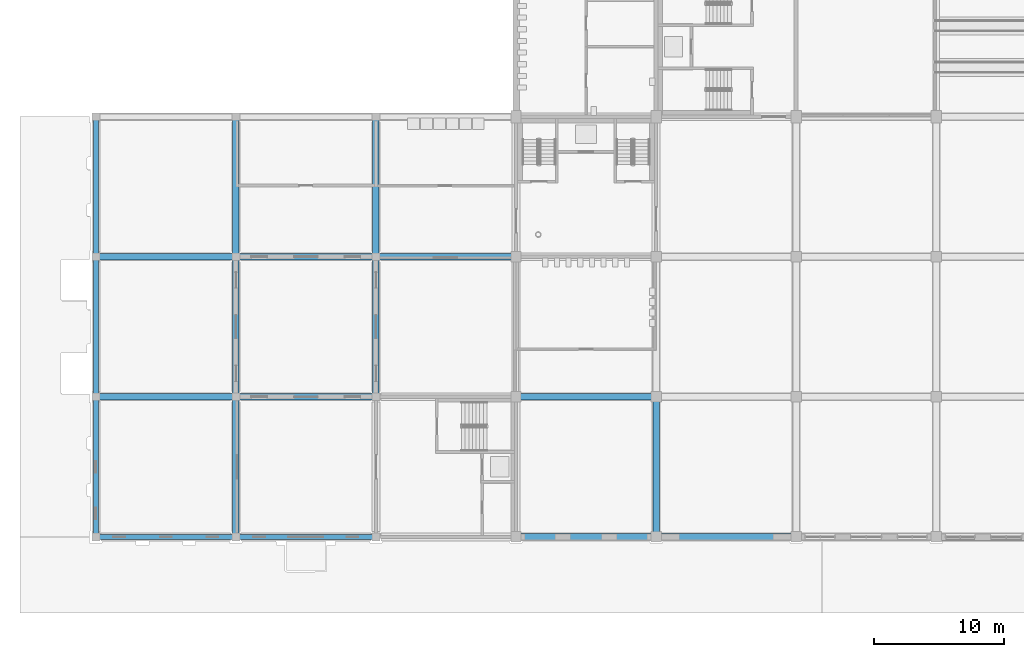
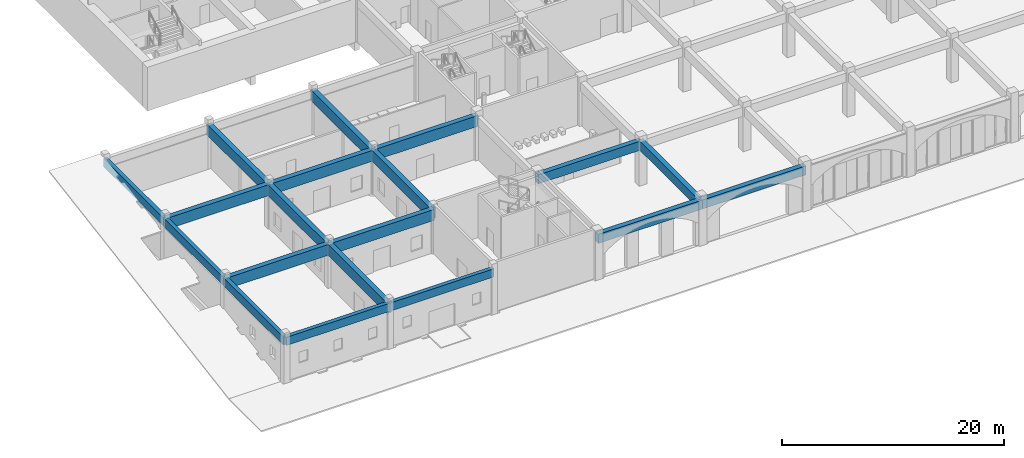
# One storey, part 10 of 101: 19 beams.
"""IFC4 building model written with IfcOpenShell, lengths in metres."""

from ifc_helpers import new_model, si_unit, direction, frame, origin, origin_2d, place, context, subcontext, project, spatial, rectangle, extrude, material, material_profile, profile_set, type_object, element, save


model = new_model("IFC4")

# Units and contexts
model_context = context("Model", 3, precision=1e-05, world=origin(), true_north=direction((0.0, 1.0)))
body_context = subcontext(model_context, "Body", "Model", "MODEL_VIEW")
ifc_project = project(units=[si_unit("LENGTHUNIT", "METRE"), si_unit("AREAUNIT", "SQUARE_METRE"), si_unit("VOLUMEUNIT", "CUBIC_METRE"), si_unit("PLANEANGLEUNIT", "RADIAN"), si_unit("MASSUNIT", "GRAM", prefix="KILO")], contexts=[model_context])

# Site, building, storey
site_placement = place(None, origin())
site = spatial("IfcSite", under=ifc_project, at=site_placement, CompositionType="ELEMENT")
building_placement = place(site_placement, origin())
building = spatial("IfcBuilding", under=site, at=building_placement, Name="Magnolia Steps Interchange", CompositionType="ELEMENT")
storey_placement = place(building_placement, frame((0.0, 0.0, -5.39990234375)))
storey = spatial("IfcBuildingStorey", under=building, at=storey_placement, Name="B1", CompositionType="ELEMENT", Elevation=-5.39990234375)

# Beams
ifc_material_1 = material(Name="Concrete C40", Category="concrete")
ifc_material_profile_1 = material_profile(ifc_material_1, rectangle(XDim=0.39990234375, YDim=0.89990234375, at=origin_2d()), Name="RC400x900")
ifc_profile_set_1 = profile_set([ifc_material_profile_1], Name="Concrete C40")
beam_type_1 = type_object("IfcBeamType", Name="RC beam 400x900", PredefinedType="BEAM", material=ifc_profile_set_1)
for number, where, z_axis, x_axis, name in (
    (1, (10.0, 10.0, 4.349853515625), (1.0, 0.0, 0.0), (0.0, 1.0, 0.0), "Beam L00 A 1-2"),
    (2, (20.800048828125, 10.0, 4.349853515625), (1.0, 0.0, 0.0), (0.0, 1.0, 0.0), "Beam L00 A 2-3"),
    (3, (10.0, 10.0, 4.349853515625), (0.0, 1.0, 0.0), (-1.0, 0.0, 0.0), "Beam L00 1 A-B"),
    (4, (10.0, 20.800048828125, 4.349853515625), (0.0, 1.0, 0.0), (-1.0, 0.0, 0.0), "Beam L00 1 B-C"),
):
    element("IfcBeam", number, at=place(storey_placement, frame(where, z_axis=z_axis, x_axis=x_axis)), inside=storey, type_object=beam_type_1, Name=name, PredefinedType="BEAM", context=body_context, shape_type="SweptSolid", body=[
        extrude(rectangle(XDim=0.39990234375, YDim=0.89990234375, at=origin_2d()), origin(), (0.0, 0.0, 1.0), 10.800048828125),
    ])
beam_1_placement = place(storey_placement, frame((10.0, 31.60009765625, 4.349853515625), z_axis=(0.0, 1.0, 0.0), x_axis=(-1.0, 0.0, 0.0)))
element("IfcBeam", 5, at=beam_1_placement, inside=storey, type_object=beam_type_1, Name="Beam L00 1 C-D", PredefinedType="BEAM", context=body_context, shape_type="SweptSolid", body=[
    extrude(rectangle(XDim=0.39990234375, YDim=0.89990234375, at=origin_2d()), origin(), (0.0, 0.0, 1.0), 10.7998046875),
])
ifc_material_2 = material(Name="Concrete C40", Category="concrete")
ifc_material_profile_2 = material_profile(ifc_material_2, rectangle(XDim=0.5, YDim=1.0, at=origin_2d()), Name="RC500x1000")
ifc_profile_set_2 = profile_set([ifc_material_profile_2], Name="Concrete C40")
beam_type_2 = type_object("IfcBeamType", Name="RC beam 500x1000", PredefinedType="BEAM", material=ifc_profile_set_2)
for number, where, z_axis, x_axis, name in (
    (6, (42.39990234375, 10.0, 4.2998046875), (1.0, 0.0, 0.0), (0.0, 1.0, 0.0), "Beam L00 A 4-5"),
    (7, (53.199951171875, 10.0, 4.2998046875), (1.0, 0.0, 0.0), (0.0, 1.0, 0.0), "Beam L00 A 5-6"),
    (8, (42.39990234375, 20.800048828125, 4.2998046875), (1.0, 0.0, 0.0), (0.0, 1.0, 0.0), "Beam L00 B 4-5"),
    (9, (53.199951171875, 10.0, 4.2998046875), (0.0, 1.0, 0.0), (-1.0, 0.0, 0.0), "Beam L00 5 A-B"),
):
    element("IfcBeam", number, at=place(storey_placement, frame(where, z_axis=z_axis, x_axis=x_axis)), inside=storey, type_object=beam_type_2, Name=name, PredefinedType="BEAM", context=body_context, shape_type="SweptSolid", body=[
        extrude(rectangle(XDim=0.5, YDim=1.0, at=origin_2d()), origin(), (0.0, 0.0, 1.0), 10.800048828125),
    ])
ifc_material_3 = material(Name="Concrete C40", Category="concrete")
ifc_material_profile_3 = material_profile(ifc_material_3, rectangle(XDim=0.5, YDim=1.199951171875, at=origin_2d()), Name="RC500x1200")
ifc_profile_set_3 = profile_set([ifc_material_profile_3], Name="Concrete C40")
beam_type_3 = type_object("IfcBeamType", Name="RC beam 500x1200", PredefinedType="BEAM", material=ifc_profile_set_3)
for number, where, z_axis, x_axis, name in (
    (10, (10.0, 20.800048828125, 4.199951171875), (1.0, 0.0, 0.0), (0.0, 1.0, 0.0), "Beam L00 B 1-2"),
    (11, (20.800048828125, 20.800048828125, 4.199951171875), (1.0, 0.0, 0.0), (0.0, 1.0, 0.0), "Beam L00 B 2-3"),
    (12, (10.0, 31.60009765625, 4.199951171875), (1.0, 0.0, 0.0), (0.0, 1.0, 0.0), "Beam L00 C 1-2"),
    (13, (20.800048828125, 31.60009765625, 4.199951171875), (1.0, 0.0, 0.0), (0.0, 1.0, 0.0), "Beam L00 C 2-3"),
):
    element("IfcBeam", number, at=place(storey_placement, frame(where, z_axis=z_axis, x_axis=x_axis)), inside=storey, type_object=beam_type_3, Name=name, PredefinedType="BEAM", context=body_context, shape_type="SweptSolid", body=[
        extrude(rectangle(XDim=0.5, YDim=1.199951171875, at=origin_2d()), origin(), (0.0, 0.0, 1.0), 10.800048828125),
    ])
beam_2_placement = place(storey_placement, frame((31.60009765625, 31.60009765625, 4.199951171875), z_axis=(1.0, 0.0, 0.0), x_axis=(0.0, 1.0, 0.0)))
element("IfcBeam", 14, at=beam_2_placement, inside=storey, type_object=beam_type_3, Name="Beam L00 C 3-4", PredefinedType="BEAM", context=body_context, shape_type="SweptSolid", body=[
    extrude(rectangle(XDim=0.5, YDim=1.199951171875, at=origin_2d()), origin(), (0.0, 0.0, 1.0), 10.7998046875),
])
for number, where, z_axis, x_axis, name in (
    (15, (20.800048828125, 10.0, 4.199951171875), (0.0, 1.0, 0.0), (-1.0, 0.0, 0.0), "Beam L00 2 A-B"),
    (16, (20.800048828125, 20.800048828125, 4.199951171875), (0.0, 1.0, 0.0), (-1.0, 0.0, 0.0), "Beam L00 2 B-C"),
):
    element("IfcBeam", number, at=place(storey_placement, frame(where, z_axis=z_axis, x_axis=x_axis)), inside=storey, type_object=beam_type_3, Name=name, PredefinedType="BEAM", context=body_context, shape_type="SweptSolid", body=[
        extrude(rectangle(XDim=0.5, YDim=1.199951171875, at=origin_2d()), origin(), (0.0, 0.0, 1.0), 10.800048828125),
    ])
beam_3_placement = place(storey_placement, frame((20.800048828125, 31.60009765625, 4.199951171875), z_axis=(0.0, 1.0, 0.0), x_axis=(-1.0, 0.0, 0.0)))
element("IfcBeam", 17, at=beam_3_placement, inside=storey, type_object=beam_type_3, Name="Beam L00 2 C-D", PredefinedType="BEAM", context=body_context, shape_type="SweptSolid", body=[
    extrude(rectangle(XDim=0.5, YDim=1.199951171875, at=origin_2d()), origin(), (0.0, 0.0, 1.0), 10.7998046875),
])
beam_4_placement = place(storey_placement, frame((31.60009765625, 20.800048828125, 4.199951171875), z_axis=(0.0, 1.0, 0.0), x_axis=(-1.0, 0.0, 0.0)))
element("IfcBeam", 18, at=beam_4_placement, inside=storey, type_object=beam_type_3, Name="Beam L00 3 B-C", PredefinedType="BEAM", context=body_context, shape_type="SweptSolid", body=[
    extrude(rectangle(XDim=0.5, YDim=1.199951171875, at=origin_2d()), origin(), (0.0, 0.0, 1.0), 10.800048828125),
])
beam_5_placement = place(storey_placement, frame((31.60009765625, 31.60009765625, 4.199951171875), z_axis=(0.0, 1.0, 0.0), x_axis=(-1.0, 0.0, 0.0)))
element("IfcBeam", 19, at=beam_5_placement, inside=storey, type_object=beam_type_3, Name="Beam L00 3 C-D", PredefinedType="BEAM", context=body_context, shape_type="SweptSolid", body=[
    extrude(rectangle(XDim=0.5, YDim=1.199951171875, at=origin_2d()), origin(), (0.0, 0.0, 1.0), 10.7998046875),
])

save(model, "model.ifc")
